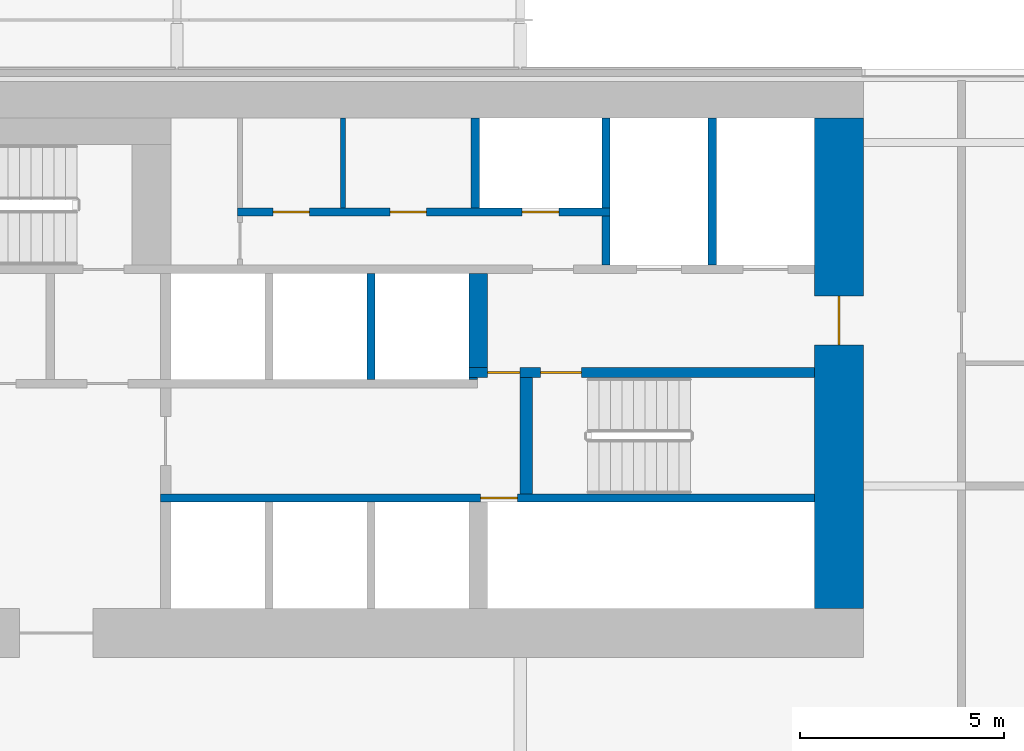
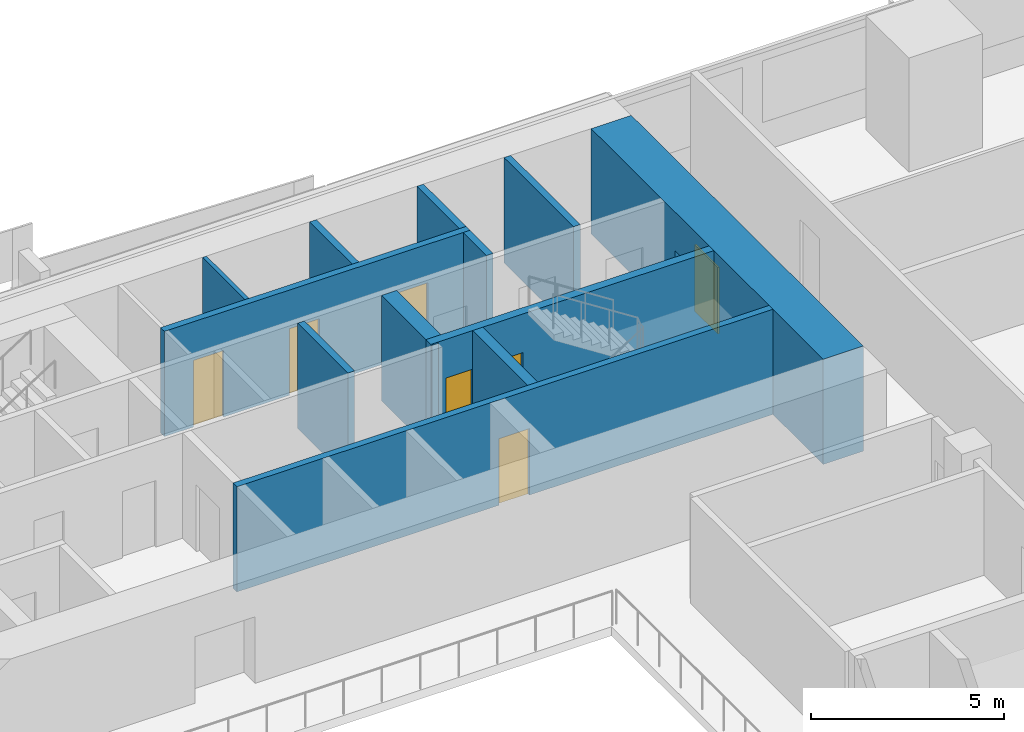
# One storey, part 23 of 27: 13 walls, 7 doors, 7 openings.
"""IFC4 building model written with IfcOpenShell, lengths in metres."""

from ifc_helpers import new_model, si_unit, direction, frame, frame_2d, origin, place, context, subcontext, project, spatial, rectangle, extrude, material, layer, layer_set, type_object, element, fill, save


model = new_model("IFC4")

# Units and contexts
model_context = context("Model", 3, precision=1e-05, world=origin(), true_north=direction((0.0, 1.0)))
body_context = subcontext(model_context, "Body", "Model", "MODEL_VIEW")
ifc_project = project(units=[si_unit("LENGTHUNIT", "METRE"), si_unit("AREAUNIT", "SQUARE_METRE"), si_unit("VOLUMEUNIT", "CUBIC_METRE"), si_unit("PLANEANGLEUNIT", "RADIAN"), si_unit("MASSUNIT", "GRAM", prefix="KILO")], contexts=[model_context])

# Site, building, storey
site_placement = place(None, origin())
site = spatial("IfcSite", under=ifc_project, at=site_placement, CompositionType="ELEMENT")
building_placement = place(site_placement, origin())
building = spatial("IfcBuilding", under=site, at=building_placement, Name="Saffron Gate Tower", CompositionType="ELEMENT")
storey_placement = place(building_placement, frame((0.0, 0.0, 40.800048828125)))
storey = spatial("IfcBuildingStorey", under=building, at=storey_placement, Name="L08", CompositionType="ELEMENT", Elevation=40.800048828125)

# Wall, opening, door
ifc_material_1 = material(Name="Concrete C70", Category="concrete")
ifc_layer_1 = layer(ifc_material_1, 1.199951171875)
ifc_layer_set_1 = layer_set([ifc_layer_1], Name="CW1 RC core wall 1200 C70")
wall_type_1 = type_object("IfcWallType", Name="CW1 RC core wall 1200 C70", PredefinedType="SOLIDWALL", material=ifc_layer_set_1)
wall_1_placement = place(storey_placement, frame((108.0, 62.39990234375, 0.0), z_axis=(0.0, 0.0, 1.0), x_axis=(0.0, 1.0, 0.0)))
wall_1 = element("IfcWall", 1, at=wall_1_placement, inside=storey, type_object=wall_type_1, Name="Wall CW1-L08-4", PredefinedType="SOLIDWALL", context=body_context, shape_type="SweptSolid", body=[
    extrude(rectangle(XDim=12.0, YDim=1.199951171875, at=frame_2d((6.0, 0.0))), origin(), (0.0, 0.0, 1.0), 3.320068359375),
])
opening_1_placement = place(wall_1_placement, frame((6.449951171875, 0.0, 0.0)))
opening_1 = element("IfcOpeningElement", 2, at=opening_1_placement, cuts=wall_1, Name="Opening CR-08", PredefinedType="OPENING", context=body_context, shape_type="SweptSolid", body=[
    extrude(rectangle(XDim=1.199951171875, YDim=2.10009765625, at=frame_2d((0.60009765625, 1.050048828125))), frame((0.0, 0.60986328125, 0.0), z_axis=(0.0, -1.0, 0.0), x_axis=(1.0, 0.0, 0.0)), (0.0, 0.0, 1.0), 1.219970703125),
])
ifc_material_2 = material(Name="Steel fire door set", Category="steel")
door_type_1 = type_object("IfcDoorType", Name="CD7 Core entrance door 1200x2100 EI 120", OperationType="NOTDEFINED", PredefinedType="DOOR", material=ifc_material_2)
door_1_placement = place(opening_1_placement, origin())
door_1 = element("IfcDoor", 3, at=door_1_placement, inside=storey, type_object=door_type_1, Name="DOOR CR-08", OperationType="SINGLE_SWING_RIGHT", OverallHeight=2.10009765625, OverallWidth=1.199951171875, PredefinedType="DOOR", context=body_context, shape_type="SweptSolid", body=[
    extrude(rectangle(XDim=1.199951171875, YDim=2.10009765625, at=frame_2d((0.60009765625, 1.050048828125))), frame((0.0, 0.02490234375, 0.0), z_axis=(0.0, -1.0, 0.0), x_axis=(1.0, 0.0, 0.0)), (0.0, 0.0, 1.0), 0.050048828125),
])
fill(opening_1, door_1)

# Wall, openings, doors
ifc_layer_2 = layer(ifc_material_1, 0.25)
ifc_layer_set_2 = layer_set([ifc_layer_2], Name="CW2 RC core wall 250 C70")
wall_type_2 = type_object("IfcWallType", Name="CW2 RC core wall 250 C70", PredefinedType="SOLIDWALL", material=ifc_layer_set_2)
wall_2_placement = place(storey_placement, frame((98.949951171875, 68.175048828125, 0.0), z_axis=(0.0, 0.0, 1.0), x_axis=(1.0, 0.0, 0.0)))
wall_2 = element("IfcWall", 4, at=wall_2_placement, inside=storey, type_object=wall_type_2, Name="Wall CW2-L08-31", PredefinedType="SOLIDWALL", context=body_context, shape_type="SweptSolid", body=[
    extrude(rectangle(XDim=8.449951171875, YDim=0.25, at=frame_2d((4.22509765625, 0.0))), origin(), (0.0, 0.0, 1.0), 3.320068359375),
])
opening_2_placement = place(wall_2_placement, frame((0.449951171875, 0.0, 0.0)))
opening_2 = element("IfcOpeningElement", 5, at=opening_2_placement, cuts=wall_2, Name="Opening CR-05", PredefinedType="OPENING", context=body_context, shape_type="SweptSolid", body=[
    extrude(rectangle(XDim=0.800048828125, YDim=2.10009765625, at=frame_2d((0.39990234375, 1.050048828125))), frame((0.0, 0.135009765625, 0.0), z_axis=(0.0, -1.0, 0.0), x_axis=(1.0, 0.0, 0.0)), (0.0, 0.0, 1.0), 0.27001953125),
])
opening_3_placement = place(wall_2_placement, frame((1.75, 0.0, 0.0)))
opening_3 = element("IfcOpeningElement", 6, at=opening_3_placement, cuts=wall_2, Name="Opening CR-16", PredefinedType="OPENING", context=body_context, shape_type="SweptSolid", body=[
    extrude(rectangle(XDim=1.0, YDim=2.10009765625, at=frame_2d((0.5, 1.050048828125))), frame((0.0, 0.135009765625, 0.0), z_axis=(0.0, -1.0, 0.0), x_axis=(1.0, 0.0, 0.0)), (0.0, 0.0, 1.0), 0.27001953125),
])
door_type_2 = type_object("IfcDoorType", Name="CD5 Stair door 1000x2100 EI 120", OperationType="NOTDEFINED", PredefinedType="DOOR", material=ifc_material_2)
door_2_placement = place(opening_3_placement, origin())
door_2 = element("IfcDoor", 7, at=door_2_placement, inside=storey, type_object=door_type_2, Name="DOOR CR-16", OperationType="SINGLE_SWING_RIGHT", OverallHeight=2.10009765625, OverallWidth=1.0, PredefinedType="DOOR", context=body_context, shape_type="SweptSolid", body=[
    extrude(rectangle(XDim=1.0, YDim=2.10009765625, at=frame_2d((0.5, 1.050048828125))), frame((0.0, 0.02490234375, 0.0), z_axis=(0.0, -1.0, 0.0), x_axis=(1.0, 0.0, 0.0)), (0.0, 0.0, 1.0), 0.050048828125),
])
fill(opening_3, door_2)
door_type_3 = type_object("IfcDoorType", Name="CD6 Lobby door 800x2100 EI 120", OperationType="NOTDEFINED", PredefinedType="DOOR", material=ifc_material_2)
door_3_placement = place(opening_2_placement, origin())
door_3 = element("IfcDoor", 8, at=door_3_placement, inside=storey, type_object=door_type_3, Name="DOOR CR-05", OperationType="SINGLE_SWING_LEFT", OverallHeight=2.10009765625, OverallWidth=0.800048828125, PredefinedType="DOOR", context=body_context, shape_type="SweptSolid", body=[
    extrude(rectangle(XDim=0.800048828125, YDim=2.10009765625, at=frame_2d((0.39990234375, 1.050048828125))), frame((0.0, 0.02490234375, 0.0), z_axis=(0.0, -1.0, 0.0), x_axis=(1.0, 0.0, 0.0)), (0.0, 0.0, 1.0), 0.050048828125),
])
fill(opening_2, door_3)

# Wall, opening, door
ifc_layer_3 = layer(ifc_material_1, 0.199951171875)
ifc_layer_set_3 = layer_set([ifc_layer_3], Name="CW3 RC core wall 200 C70")
wall_type_3 = type_object("IfcWallType", Name="CW3 RC core wall 200 C70", PredefinedType="SOLIDWALL", material=ifc_layer_set_3)
wall_3_placement = place(storey_placement, frame((91.39990234375, 65.10009765625, 0.0), z_axis=(0.0, 0.0, 1.0), x_axis=(1.0, 0.0, 0.0)))
wall_3 = element("IfcWall", 9, at=wall_3_placement, inside=storey, type_object=wall_type_3, Name="Wall CW3-L08-15", PredefinedType="SOLIDWALL", context=body_context, shape_type="SweptSolid", body=[
    extrude(rectangle(XDim=16.0, YDim=0.199951171875, at=frame_2d((8.0, 0.0))), origin(), (0.0, 0.0, 1.0), 3.320068359375),
])
opening_4_placement = place(wall_3_placement, frame((7.830078125, 0.0, 0.0)))
opening_4 = element("IfcOpeningElement", 10, at=opening_4_placement, cuts=wall_3, Name="Opening CR-48", PredefinedType="OPENING", context=body_context, shape_type="SweptSolid", body=[
    extrude(rectangle(XDim=0.89990234375, YDim=2.10009765625, at=frame_2d((0.449951171875, 1.050048828125))), frame((0.0, 0.10986328125, 0.0), z_axis=(0.0, -1.0, 0.0), x_axis=(1.0, 0.0, 0.0)), (0.0, 0.0, 1.0), 0.219970703125),
])
door_type_4 = type_object("IfcDoorType", Name="CD2 Riser door 900x2100 EI 60", OperationType="NOTDEFINED", PredefinedType="DOOR", material=ifc_material_2)
door_4_placement = place(opening_4_placement, origin())
door_4 = element("IfcDoor", 11, at=door_4_placement, inside=storey, type_object=door_type_4, Name="DOOR CR-48", OperationType="SINGLE_SWING_RIGHT", OverallHeight=2.10009765625, OverallWidth=0.89990234375, PredefinedType="DOOR", context=body_context, shape_type="SweptSolid", body=[
    extrude(rectangle(XDim=0.89990234375, YDim=2.10009765625, at=frame_2d((0.449951171875, 1.050048828125))), frame((0.0, 0.02490234375, 0.0), z_axis=(0.0, -1.0, 0.0), x_axis=(1.0, 0.0, 0.0)), (0.0, 0.0, 1.0), 0.050048828125),
])
fill(opening_4, door_4)

# Walls
wall_4_placement = place(storey_placement, frame((96.550048828125, 68.0, 0.0), z_axis=(0.0, 0.0, 1.0), x_axis=(0.0, 1.0, 0.0)))
element("IfcWall", 12, at=wall_4_placement, inside=storey, type_object=wall_type_3, Name="Wall CW3-L08-28", PredefinedType="SOLIDWALL", context=body_context, shape_type="SweptSolid", body=[
    extrude(rectangle(XDim=2.60009765625, YDim=0.199951171875, at=frame_2d((1.300048828125, 0.0))), origin(), (0.0, 0.0, 1.0), 3.320068359375),
])
wall_5_placement = place(storey_placement, frame((102.300048828125, 70.800048828125, 0.0), z_axis=(0.0, 0.0, 1.0), x_axis=(0.0, 1.0, 0.0)))
element("IfcWall", 13, at=wall_5_placement, inside=storey, type_object=wall_type_3, Name="Wall CW3-L08-41", PredefinedType="SOLIDWALL", context=body_context, shape_type="SweptSolid", body=[
    extrude(rectangle(XDim=1.199951171875, YDim=0.199951171875, at=frame_2d((0.60009765625, 0.0))), origin(), (0.0, 0.0, 1.0), 3.320068359375),
])
wall_6_placement = place(storey_placement, frame((104.89990234375, 70.800048828125, 0.0), z_axis=(0.0, 0.0, 1.0), x_axis=(0.0, 1.0, 0.0)))
element("IfcWall", 14, at=wall_6_placement, inside=storey, type_object=wall_type_3, Name="Wall CW3-L08-42", PredefinedType="SOLIDWALL", context=body_context, shape_type="SweptSolid", body=[
    extrude(rectangle(XDim=3.599853515625, YDim=0.199951171875, at=frame_2d((1.7998046875, 0.0))), origin(), (0.0, 0.0, 1.0), 3.320068359375),
])

# Wall, openings, doors
wall_7_placement = place(storey_placement, frame((93.280029296875, 72.10009765625, 0.0), z_axis=(0.0, 0.0, 1.0), x_axis=(1.0, 0.0, 0.0)))
wall_7 = element("IfcWall", 15, at=wall_7_placement, inside=storey, type_object=wall_type_3, Name="Wall CW3-L08-44", PredefinedType="SOLIDWALL", context=body_context, shape_type="SweptSolid", body=[
    extrude(rectangle(XDim=9.119873046875, YDim=0.199951171875, at=frame_2d((4.56005859375, 0.0))), origin(), (0.0, 0.0, 1.0), 3.320068359375),
])
opening_5_placement = place(wall_7_placement, frame((0.8701171875, 0.0, 0.0)))
opening_5 = element("IfcOpeningElement", 16, at=opening_5_placement, cuts=wall_7, Name="Opening CR-50", PredefinedType="OPENING", context=body_context, shape_type="SweptSolid", body=[
    extrude(rectangle(XDim=0.89990234375, YDim=2.10009765625, at=frame_2d((0.449951171875, 1.050048828125))), frame((0.0, 0.10986328125, 0.0), z_axis=(0.0, -1.0, 0.0), x_axis=(1.0, 0.0, 0.0)), (0.0, 0.0, 1.0), 0.219970703125),
])
opening_6_placement = place(wall_7_placement, frame((3.72998046875, 0.0, 0.0)))
opening_6 = element("IfcOpeningElement", 17, at=opening_6_placement, cuts=wall_7, Name="Opening CR-53", PredefinedType="OPENING", context=body_context, shape_type="SweptSolid", body=[
    extrude(rectangle(XDim=0.89990234375, YDim=2.10009765625, at=frame_2d((0.449951171875, 1.050048828125))), frame((0.0, 0.10986328125, 0.0), z_axis=(0.0, -1.0, 0.0), x_axis=(1.0, 0.0, 0.0)), (0.0, 0.0, 1.0), 0.219970703125),
])
opening_7_placement = place(wall_7_placement, frame((6.969970703125, 0.0, 0.0)))
opening_7 = element("IfcOpeningElement", 18, at=opening_7_placement, cuts=wall_7, Name="Opening CR-70", PredefinedType="OPENING", context=body_context, shape_type="SweptSolid", body=[
    extrude(rectangle(XDim=0.89990234375, YDim=2.10009765625, at=frame_2d((0.449951171875, 1.050048828125))), frame((0.0, 0.10986328125, 0.0), z_axis=(0.0, -1.0, 0.0), x_axis=(1.0, 0.0, 0.0)), (0.0, 0.0, 1.0), 0.219970703125),
])
door_5_placement = place(opening_7_placement, origin())
door_5 = element("IfcDoor", 19, at=door_5_placement, inside=storey, type_object=door_type_4, Name="DOOR CR-70", OperationType="SINGLE_SWING_LEFT", OverallHeight=2.10009765625, OverallWidth=0.89990234375, PredefinedType="DOOR", context=body_context, shape_type="SweptSolid", body=[
    extrude(rectangle(XDim=0.89990234375, YDim=2.10009765625, at=frame_2d((0.449951171875, 1.050048828125))), frame((0.0, 0.02490234375, 0.0), z_axis=(0.0, -1.0, 0.0), x_axis=(1.0, 0.0, 0.0)), (0.0, 0.0, 1.0), 0.050048828125),
])
fill(opening_7, door_5)
door_type_5 = type_object("IfcDoorType", Name="CD9 Room door 900x2100 EI 60", OperationType="NOTDEFINED", PredefinedType="DOOR", material=ifc_material_2)
door_6_placement = place(opening_5_placement, origin())
door_6 = element("IfcDoor", 20, at=door_6_placement, inside=storey, type_object=door_type_5, Name="DOOR CR-50", OperationType="SINGLE_SWING_LEFT", OverallHeight=2.10009765625, OverallWidth=0.89990234375, PredefinedType="DOOR", context=body_context, shape_type="SweptSolid", body=[
    extrude(rectangle(XDim=0.89990234375, YDim=2.10009765625, at=frame_2d((0.449951171875, 1.050048828125))), frame((0.0, 0.02490234375, 0.0), z_axis=(0.0, -1.0, 0.0), x_axis=(1.0, 0.0, 0.0)), (0.0, 0.0, 1.0), 0.050048828125),
])
fill(opening_5, door_6)
door_7_placement = place(opening_6_placement, origin())
door_7 = element("IfcDoor", 21, at=door_7_placement, inside=storey, type_object=door_type_5, Name="DOOR CR-53", OperationType="SINGLE_SWING_LEFT", OverallHeight=2.10009765625, OverallWidth=0.89990234375, PredefinedType="DOOR", context=body_context, shape_type="SweptSolid", body=[
    extrude(rectangle(XDim=0.89990234375, YDim=2.10009765625, at=frame_2d((0.449951171875, 1.050048828125))), frame((0.0, 0.02490234375, 0.0), z_axis=(0.0, -1.0, 0.0), x_axis=(1.0, 0.0, 0.0)), (0.0, 0.0, 1.0), 0.050048828125),
])
fill(opening_6, door_7)

# Walls
for number, where, z_axis, x_axis, name in (
    (22, (99.10009765625, 72.199951171875, 0.0), (0.0, 0.0, 1.0), (0.0, 1.0, 0.0), "Wall CW3-L08-51"),
    (23, (102.300048828125, 72.199951171875, 0.0), (0.0, 0.0, 1.0), (0.0, 1.0, 0.0), "Wall CW3-L08-52"),
):
    element("IfcWall", number, at=place(storey_placement, frame(where, z_axis=z_axis, x_axis=x_axis)), inside=storey, type_object=wall_type_3, Name=name, PredefinedType="SOLIDWALL", context=body_context, shape_type="SweptSolid", body=[
        extrude(rectangle(XDim=2.199951171875, YDim=0.199951171875, at=frame_2d((1.10009765625, 0.0))), origin(), (0.0, 0.0, 1.0), 3.320068359375),
    ])
ifc_layer_4 = layer(ifc_material_1, 0.449951171875)
ifc_layer_set_4 = layer_set([ifc_layer_4], Name="CW4 RC core wall 450 C70")
wall_type_4 = type_object("IfcWallType", Name="CW4 RC core wall 450 C70", PredefinedType="SOLIDWALL", material=ifc_layer_set_4)
wall_8_placement = place(storey_placement, frame((99.175048828125, 68.300048828125, 0.0), z_axis=(0.0, 0.0, 1.0), x_axis=(0.0, 1.0, 0.0)))
element("IfcWall", 24, at=wall_8_placement, inside=storey, type_object=wall_type_4, Name="Wall CW4-L08-33", PredefinedType="SOLIDWALL", context=body_context, shape_type="SweptSolid", body=[
    extrude(rectangle(XDim=2.300048828125, YDim=0.449951171875, at=frame_2d((1.14990234375, 0.0))), origin(), (0.0, 0.0, 1.0), 3.320068359375),
])
ifc_layer_5 = layer(ifc_material_1, 0.300048828125)
ifc_layer_set_5 = layer_set([ifc_layer_5], Name="CW5 RC core wall 300 C70")
wall_type_5 = type_object("IfcWallType", Name="CW5 RC core wall 300 C70", PredefinedType="SOLIDWALL", material=ifc_layer_set_5)
wall_9_placement = place(storey_placement, frame((100.35009765625, 65.199951171875, 0.0), z_axis=(0.0, 0.0, 1.0), x_axis=(0.0, 1.0, 0.0)))
element("IfcWall", 25, at=wall_9_placement, inside=storey, type_object=wall_type_5, Name="Wall CW5-L08-19", PredefinedType="SOLIDWALL", context=body_context, shape_type="SweptSolid", body=[
    extrude(rectangle(XDim=2.85009765625, YDim=0.300048828125, at=frame_2d((1.425048828125, 0.0))), origin(), (0.0, 0.0, 1.0), 3.320068359375),
])
ifc_layer_6 = layer(ifc_material_1, 0.050048828125)
ifc_layer_set_6 = layer_set([ifc_layer_6], Name="CW6 RC core wall 50 C70")
wall_type_6 = type_object("IfcWallType", Name="CW6 RC core wall 50 C70", PredefinedType="SOLIDWALL", material=ifc_layer_set_6)
wall_10_placement = place(storey_placement, frame((98.949951171875, 68.02490234375, 0.0), z_axis=(0.0, 0.0, 1.0), x_axis=(1.0, 0.0, 0.0)))
element("IfcWall", 26, at=wall_10_placement, inside=storey, type_object=wall_type_6, Name="Wall CW6-L08-29", PredefinedType="SOLIDWALL", context=body_context, shape_type="SweptSolid", body=[
    extrude(rectangle(XDim=0.199951171875, YDim=0.050048828125, at=frame_2d((0.10009765625, 0.0))), origin(), (0.0, 0.0, 1.0), 3.320068359375),
])
ifc_material_3 = material(Name="Gypsum board partition on steel studs", Category="steel")
ifc_layer_7 = layer(ifc_material_3, 0.1201171875)
ifc_layer_set_7 = layer_set([ifc_layer_7], Name="CW8 Core partition 120")
wall_type_7 = type_object("IfcWallType", Name="CW8 Core partition 120", PredefinedType="PARTITIONING", material=ifc_layer_set_7)
wall_11_placement = place(storey_placement, frame((95.860107421875, 72.199951171875, 0.0), z_axis=(0.0, 0.0, 1.0), x_axis=(0.0, 1.0, 0.0)))
element("IfcWall", 27, at=wall_11_placement, inside=storey, type_object=wall_type_7, Name="Wall CW8-L08-50", PredefinedType="PARTITIONING", context=body_context, shape_type="SweptSolid", body=[
    extrude(rectangle(XDim=2.199951171875, YDim=0.1201171875, at=frame_2d((1.10009765625, 0.0))), origin(), (0.0, 0.0, 1.0), 3.320068359375),
])

save(model, "model.ifc")
